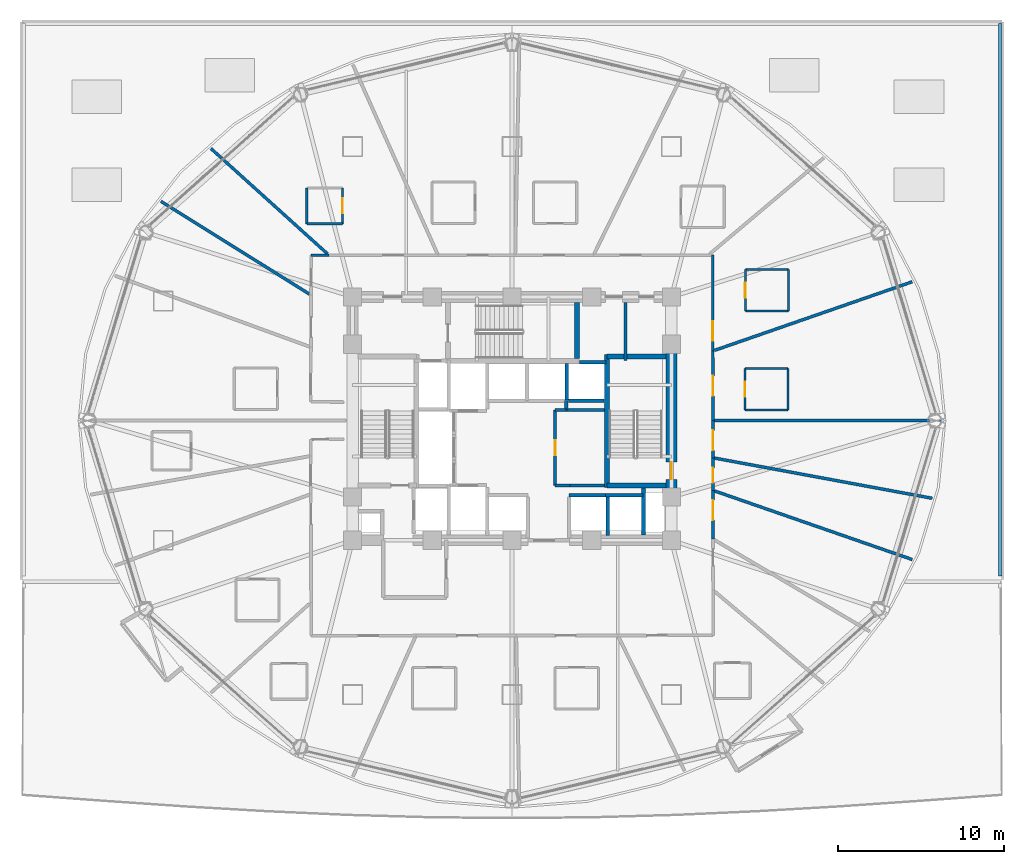
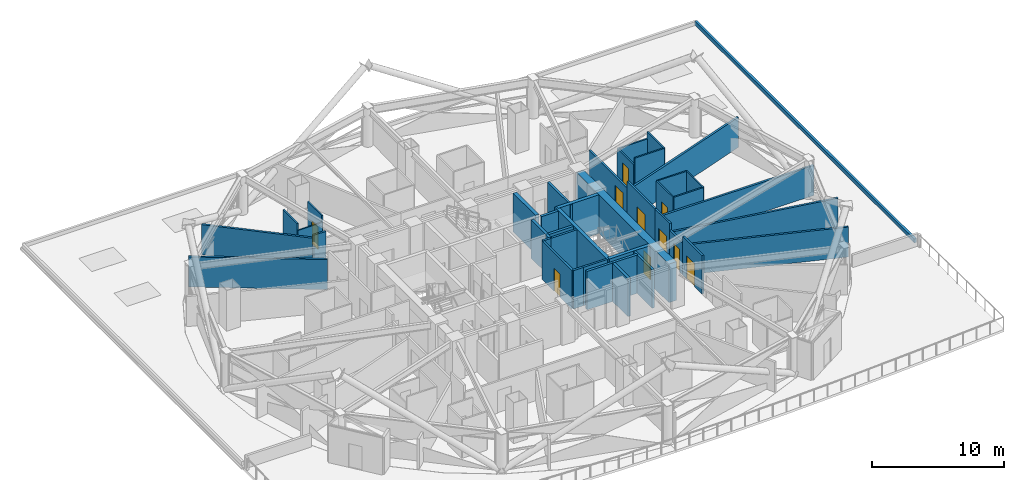
# One storey, part 22 of 27: 43 walls, 10 doors, 10 openings.
"""IFC4 building model written with IfcOpenShell, lengths in metres."""

from ifc_helpers import new_model, si_unit, direction, frame, frame_2d, origin, place, context, subcontext, project, spatial, rectangle, extrude, material, layer, layer_set, type_object, element, fill, save


model = new_model("IFC4")

# Units and contexts
model_context = context("Model", 3, precision=1e-05, world=origin(), true_north=direction((0.0, 1.0)))
body_context = subcontext(model_context, "Body", "Model", "MODEL_VIEW")
ifc_project = project(units=[si_unit("LENGTHUNIT", "METRE"), si_unit("AREAUNIT", "SQUARE_METRE"), si_unit("VOLUMEUNIT", "CUBIC_METRE"), si_unit("PLANEANGLEUNIT", "RADIAN"), si_unit("MASSUNIT", "GRAM", prefix="KILO")], contexts=[model_context])

# Site, building, storey
site_placement = place(None, origin())
site = spatial("IfcSite", under=ifc_project, at=site_placement, CompositionType="ELEMENT")
building_placement = place(site_placement, origin())
building = spatial("IfcBuilding", under=site, at=building_placement, Name="Vantalir Tower", CompositionType="ELEMENT")
storey_placement = place(building_placement, frame((0.0, 0.0, 27.0)))
storey = spatial("IfcBuildingStorey", under=building, at=storey_placement, Name="L05", CompositionType="ELEMENT", Elevation=27.0)

# Walls
ifc_material_1 = material(Name="Moisture-resistant en-suite partition", Category="gypsum")
ifc_layer_1 = layer(ifc_material_1, 0.125)
ifc_layer_set_1 = layer_set([ifc_layer_1], Name="Moisture-resistant en-suite partition")
wall_type_1 = type_object("IfcWallType", Name="WL-BATH-125", PredefinedType="PARTITIONING", material=ifc_layer_set_1)
for number, where, z_axis, x_axis, name in (
    (1, (45.527099609375, 25.652099609375, 0.0), (0.0, 0.0, 1.0), (1.0, 0.0, 0.0), "L05 En-suite 01 South Wall"),
    (2, (45.527099609375, 28.152099609375, 0.0), (0.0, 0.0, 1.0), (1.0, 0.0, 0.0), "L05 En-suite 01 North Wall"),
):
    element("IfcWall", number, at=place(storey_placement, frame(where, z_axis=z_axis, x_axis=x_axis)), inside=storey, type_object=wall_type_1, Name=name, PredefinedType="PARTITIONING", context=body_context, shape_type="SweptSolid", body=[
        extrude(rectangle(XDim=2.599853515625, YDim=0.125, at=frame_2d((1.2998046875, 0.0))), origin(), (0.0, 0.0, 1.0), 3.550048828125),
    ])

# Wall, opening, door
wall_1_placement = place(storey_placement, frame((45.527099609375, 25.652099609375, 0.0), z_axis=(0.0, 0.0, 1.0), x_axis=(0.0, 1.0, 0.0)))
wall_1 = element("IfcWall", 3, at=wall_1_placement, inside=storey, type_object=wall_type_1, Name="L05 En-suite 01 West Wall", PredefinedType="PARTITIONING", context=body_context, shape_type="SweptSolid", body=[
    extrude(rectangle(XDim=2.5, YDim=0.125, at=frame_2d((1.25, 0.0))), origin(), (0.0, 0.0, 1.0), 3.550048828125),
])
opening_1_placement = place(wall_1_placement, frame((0.800048828125, 0.0, 0.0)))
opening_1 = element("IfcOpeningElement", 4, at=opening_1_placement, cuts=wall_1, Name="Opening D-WC", PredefinedType="OPENING", context=body_context, shape_type="SweptSolid", body=[
    extrude(rectangle(XDim=0.89990234375, YDim=2.10009765625, at=frame_2d((0.449951171875, 1.050048828125))), frame((0.0, 0.072509765625, 0.0), z_axis=(0.0, -1.0, 0.0), x_axis=(1.0, 0.0, 0.0)), (0.0, 0.0, 1.0), 0.14501953125),
])
ifc_material_2 = material(Name="Moisture-resistant hardwood door", Category="wood")
door_type_1 = type_object("IfcDoorType", Name="DR-ENSUITE-900", OperationType="NOTDEFINED", PredefinedType="DOOR", material=ifc_material_2)
door_1_placement = place(opening_1_placement, frame((0.89990234375, 0.0, 0.0), z_axis=(0.0, 0.0, 1.0), x_axis=(-1.0, 0.0, 0.0)))
door_1 = element("IfcDoor", 5, at=door_1_placement, inside=storey, type_object=door_type_1, Name="L05 En-suite 01 Door", OperationType="SINGLE_SWING_LEFT", OverallHeight=2.10009765625, OverallWidth=0.89990234375, PredefinedType="DOOR", context=body_context, shape_type="SweptSolid", body=[
    extrude(rectangle(XDim=0.89990234375, YDim=2.10009765625, at=frame_2d((0.449951171875, 1.050048828125))), frame((0.0, 0.02490234375, 0.0), z_axis=(0.0, -1.0, 0.0), x_axis=(1.0, 0.0, 0.0)), (0.0, 0.0, 1.0), 0.050048828125),
])
fill(opening_1, door_1)

# Walls
wall_2_placement = place(storey_placement, frame((48.126953125, 25.652099609375, 0.0), z_axis=(0.0, 0.0, 1.0), x_axis=(0.0, 1.0, 0.0)))
element("IfcWall", 6, at=wall_2_placement, inside=storey, type_object=wall_type_1, Name="L05 En-suite 01 East Wall", PredefinedType="PARTITIONING", context=body_context, shape_type="SweptSolid", body=[
    extrude(rectangle(XDim=2.5, YDim=0.125, at=frame_2d((1.25, 0.0))), origin(), (0.0, 0.0, 1.0), 3.550048828125),
])
wall_3_placement = place(storey_placement, frame((45.552978515625, 31.60693359375, 0.0), z_axis=(0.0, 0.0, 1.0), x_axis=(1.0, 0.0, 0.0)))
element("IfcWall", 7, at=wall_3_placement, inside=storey, type_object=wall_type_1, Name="L05 En-suite 02 South Wall", PredefinedType="PARTITIONING", context=body_context, shape_type="SweptSolid", body=[
    extrude(rectangle(XDim=2.60009765625, YDim=0.125, at=frame_2d((1.300048828125, 0.0))), origin(), (0.0, 0.0, 1.0), 3.550048828125),
])
wall_4_placement = place(storey_placement, frame((45.552978515625, 34.10693359375, 0.0), z_axis=(0.0, 0.0, 1.0), x_axis=(1.0, 0.0, 0.0)))
element("IfcWall", 8, at=wall_4_placement, inside=storey, type_object=wall_type_1, Name="L05 En-suite 02 North Wall", PredefinedType="PARTITIONING", context=body_context, shape_type="SweptSolid", body=[
    extrude(rectangle(XDim=2.60009765625, YDim=0.125, at=frame_2d((1.300048828125, 0.0))), origin(), (0.0, 0.0, 1.0), 2.928955078125),
])

# Wall, opening, door
wall_5_placement = place(storey_placement, frame((45.552978515625, 31.60693359375, 0.0), z_axis=(0.0, 0.0, 1.0), x_axis=(0.0, 1.0, 0.0)))
wall_5 = element("IfcWall", 9, at=wall_5_placement, inside=storey, type_object=wall_type_1, Name="L05 En-suite 02 West Wall", PredefinedType="PARTITIONING", context=body_context, shape_type="SweptSolid", body=[
    extrude(rectangle(XDim=2.5, YDim=0.125, at=frame_2d((1.25, 0.0))), origin(), (0.0, 0.0, 1.0), 2.928955078125),
])
opening_2_placement = place(wall_5_placement, frame((0.800048828125, 0.0, 0.0)))
opening_2 = element("IfcOpeningElement", 10, at=opening_2_placement, cuts=wall_5, Name="Opening D-WC", PredefinedType="OPENING", context=body_context, shape_type="SweptSolid", body=[
    extrude(rectangle(XDim=0.89990234375, YDim=2.10009765625, at=frame_2d((0.449951171875, 1.050048828125))), frame((0.0, 0.072509765625, 0.0), z_axis=(0.0, -1.0, 0.0), x_axis=(1.0, 0.0, 0.0)), (0.0, 0.0, 1.0), 0.14501953125),
])
door_2_placement = place(opening_2_placement, frame((0.89990234375, 0.0, 0.0), z_axis=(0.0, 0.0, 1.0), x_axis=(-1.0, 0.0, 0.0)))
door_2 = element("IfcDoor", 11, at=door_2_placement, inside=storey, type_object=door_type_1, Name="L05 En-suite 02 Door", OperationType="SINGLE_SWING_RIGHT", OverallHeight=2.10009765625, OverallWidth=0.89990234375, PredefinedType="DOOR", context=body_context, shape_type="SweptSolid", body=[
    extrude(rectangle(XDim=0.89990234375, YDim=2.10009765625, at=frame_2d((0.449951171875, 1.050048828125))), frame((0.0, 0.02490234375, 0.0), z_axis=(0.0, -1.0, 0.0), x_axis=(1.0, 0.0, 0.0)), (0.0, 0.0, 1.0), 0.050048828125),
])
fill(opening_2, door_2)

# Walls
wall_6_placement = place(storey_placement, frame((48.153076171875, 31.60693359375, 0.0), z_axis=(0.0, 0.0, 1.0), x_axis=(0.0, 1.0, 0.0)))
element("IfcWall", 12, at=wall_6_placement, inside=storey, type_object=wall_type_1, Name="L05 En-suite 02 East Wall", PredefinedType="PARTITIONING", context=body_context, shape_type="SweptSolid", body=[
    extrude(rectangle(XDim=2.5, YDim=0.125, at=frame_2d((1.25, 0.0))), origin(), (0.0, 0.0, 1.0), 3.550048828125),
])
wall_7_placement = place(storey_placement, frame((19.14208984375, 36.85498046875, 0.0), z_axis=(0.0, 0.0, 1.0), x_axis=(1.0, 0.0, 0.0)))
element("IfcWall", 13, at=wall_7_placement, inside=storey, type_object=wall_type_1, Name="L05 En-suite 06 South Wall", PredefinedType="PARTITIONING", context=body_context, shape_type="SweptSolid", body=[
    extrude(rectangle(XDim=2.14990234375, YDim=0.125, at=frame_2d((1.074951171875, 0.0))), origin(), (0.0, 0.0, 1.0), 2.928955078125),
])
wall_8_placement = place(storey_placement, frame((19.14208984375, 36.85498046875, 0.0), z_axis=(0.0, 0.0, 1.0), x_axis=(0.0, 1.0, 0.0)))
element("IfcWall", 14, at=wall_8_placement, inside=storey, type_object=wall_type_1, Name="L05 En-suite 06 West Wall", PredefinedType="PARTITIONING", context=body_context, shape_type="SweptSolid", body=[
    extrude(rectangle(XDim=2.14990234375, YDim=0.125, at=frame_2d((1.074951171875, 0.0))), origin(), (0.0, 0.0, 1.0), 3.550048828125),
])

# Wall, opening, door
wall_9_placement = place(storey_placement, frame((21.2919921875, 36.85498046875, 0.0), z_axis=(0.0, 0.0, 1.0), x_axis=(0.0, 1.0, 0.0)))
wall_9 = element("IfcWall", 15, at=wall_9_placement, inside=storey, type_object=wall_type_1, Name="L05 En-suite 06 East Wall", PredefinedType="PARTITIONING", context=body_context, shape_type="SweptSolid", body=[
    extrude(rectangle(XDim=2.14990234375, YDim=0.125, at=frame_2d((1.074951171875, 0.0))), origin(), (0.0, 0.0, 1.0), 3.550048828125),
])
opening_3_placement = place(wall_9_placement, frame((0.625, 0.0, 0.0)))
opening_3 = element("IfcOpeningElement", 16, at=opening_3_placement, cuts=wall_9, Name="Opening D-WC", PredefinedType="OPENING", context=body_context, shape_type="SweptSolid", body=[
    extrude(rectangle(XDim=0.89990234375, YDim=2.10009765625, at=frame_2d((0.449951171875, 1.050048828125))), frame((0.0, 0.072509765625, 0.0), z_axis=(0.0, -1.0, 0.0), x_axis=(1.0, 0.0, 0.0)), (0.0, 0.0, 1.0), 0.14501953125),
])
door_3_placement = place(opening_3_placement, origin())
door_3 = element("IfcDoor", 17, at=door_3_placement, inside=storey, type_object=door_type_1, Name="L05 En-suite 06 Door", OperationType="SINGLE_SWING_RIGHT", OverallHeight=2.10009765625, OverallWidth=0.89990234375, PredefinedType="DOOR", context=body_context, shape_type="SweptSolid", body=[
    extrude(rectangle(XDim=0.89990234375, YDim=2.10009765625, at=frame_2d((0.449951171875, 1.050048828125))), frame((0.0, 0.02490234375, 0.0), z_axis=(0.0, -1.0, 0.0), x_axis=(1.0, 0.0, 0.0)), (0.0, 0.0, 1.0), 0.050048828125),
])
fill(opening_3, door_3)

ifc_material_3 = material(Name="Concrete C60/75", Category="concrete")
ifc_layer_2 = layer(ifc_material_3, 0.64990234375)
ifc_layer_set_2 = layer_set([ifc_layer_2], Name="Concrete C60/75")
wall_type_2 = type_object("IfcWallType", Name="WL-CORE-650", PredefinedType="SHEAR", material=ifc_layer_set_2)
wall_10_placement = place(storey_placement, frame((41.10009765625, 18.125, 0.0), z_axis=(0.0, 0.0, 1.0), x_axis=(0.0, 1.0, 0.0)))
wall_10 = element("IfcWall", 18, at=wall_10_placement, inside=storey, type_object=wall_type_2, Name="L05 Core Shear Wall East", PredefinedType="SHEAR", context=body_context, shape_type="SweptSolid", body=[
    extrude(rectangle(XDim=14.0, YDim=0.64990234375, at=frame_2d((7.0, 0.0))), origin(), (0.0, 0.0, 1.0), 3.570068359375),
])
opening_4_placement = place(wall_10_placement, frame((3.3349609375, 0.0, 0.0)))
opening_4 = element("IfcOpeningElement", 19, at=opening_4_placement, cuts=wall_10, Name="Opening D-ST", PredefinedType="OPENING", context=body_context, shape_type="SweptSolid", body=[
    extrude(rectangle(XDim=1.050048828125, YDim=2.10009765625, at=frame_2d((0.52490234375, 1.050048828125))), frame((0.0, 0.3349609375, 0.0), z_axis=(0.0, -1.0, 0.0), x_axis=(1.0, 0.0, 0.0)), (0.0, 0.0, 1.0), 0.669921875),
])
ifc_material_4 = material(Name="Fire-rated steel door leaf", Category="steel")
door_type_2 = type_object("IfcDoorType", Name="DR-FIRE-STAIR-1050", OperationType="NOTDEFINED", PredefinedType="DOOR", material=ifc_material_4)
door_4_placement = place(opening_4_placement, origin())
door_4 = element("IfcDoor", 20, at=door_4_placement, inside=storey, type_object=door_type_2, Name="L05 Exit Stair ST2 Fire Door", OperationType="SINGLE_SWING_LEFT", OverallHeight=2.10009765625, OverallWidth=1.050048828125, PredefinedType="DOOR", context=body_context, shape_type="SweptSolid", body=[
    extrude(rectangle(XDim=1.050048828125, YDim=2.10009765625, at=frame_2d((0.52490234375, 1.050048828125))), frame((0.0, 0.02490234375, 0.0), z_axis=(0.0, -1.0, 0.0), x_axis=(1.0, 0.0, 0.0)), (0.0, 0.0, 1.0), 0.050048828125),
])
fill(opening_4, door_4)

# Wall
ifc_material_5 = material(Name="Fire-rated hotel corridor acoustic partition", Category="gypsum")
ifc_layer_3 = layer(ifc_material_5, 0.159912109375)
ifc_layer_set_3 = layer_set([ifc_layer_3], Name="Fire-rated hotel corridor acoustic partition")
wall_type_3 = type_object("IfcWallType", Name="WL-CORR-160", PredefinedType="PARTITIONING", material=ifc_layer_set_3)
wall_11_placement = place(storey_placement, frame((19.406005859375, 34.9599609375, 0.0), z_axis=(0.0, 0.0, 1.0), x_axis=(1.0, 0.0, 0.0)))
element("IfcWall", 21, at=wall_11_placement, inside=storey, type_object=wall_type_3, Name="L05 Corridor Partition 05", PredefinedType="PARTITIONING", context=body_context, shape_type="SweptSolid", body=[
    extrude(rectangle(XDim=1.074951171875, YDim=0.159912109375, at=frame_2d((0.53759765625, 0.0))), origin(), (0.0, 0.0, 1.0), 3.550048828125),
])

# Wall, opening, door
wall_12_placement = place(storey_placement, frame((43.593994140625, 34.9599609375, 0.0), z_axis=(0.0, 0.0, 1.0), x_axis=(0.00067793722, -0.999999770201, 0.0)))
wall_12 = element("IfcWall", 22, at=wall_12_placement, inside=storey, type_object=wall_type_3, Name="L05 Corridor Partition 10", PredefinedType="PARTITIONING", context=body_context, shape_type="SweptSolid", body=[
    extrude(rectangle(XDim=5.761962890625, YDim=0.159912109375, at=frame_2d((2.880859375, 0.0))), origin(), (0.0, 0.0, 1.0), 2.928955078125),
])
opening_5_placement = place(wall_12_placement, frame((3.962890625, 0.0, 0.0)))
opening_5 = element("IfcOpeningElement", 23, at=opening_5_placement, cuts=wall_12, Name="Opening D-STE", PredefinedType="OPENING", context=body_context, shape_type="SweptSolid", body=[
    extrude(rectangle(XDim=1.199951171875, YDim=2.10009765625, at=frame_2d((0.60009765625, 1.050048828125))), frame((0.0, 0.08984375, 0.0), z_axis=(0.0, -1.0, 0.0), x_axis=(1.0, 0.0, 0.0)), (0.0, 0.0, 1.0), 0.179931640625),
])
ifc_material_6 = material(Name="Solid-core teak veneer suite entrance door", Category="wood")
door_type_3 = type_object("IfcDoorType", Name="DR-SUITE-ENTRY-1200", OperationType="NOTDEFINED", PredefinedType="DOOR", material=ifc_material_6)
door_5_placement = place(opening_5_placement, origin())
door_5 = element("IfcDoor", 24, at=door_5_placement, inside=storey, type_object=door_type_3, Name="L05 Royal Ambassador Hotel Suite 02 Door", OperationType="SINGLE_SWING_RIGHT", OverallHeight=2.10009765625, OverallWidth=1.199951171875, PredefinedType="DOOR", context=body_context, shape_type="SweptSolid", body=[
    extrude(rectangle(XDim=1.199951171875, YDim=2.10009765625, at=frame_2d((0.60009765625, 1.050048828125))), frame((0.0, 0.02490234375, 0.0), z_axis=(0.0, -1.0, 0.0), x_axis=(1.0, 0.0, 0.0)), (0.0, 0.0, 1.0), 0.050048828125),
])
fill(opening_5, door_5)

wall_13_placement = place(storey_placement, frame((43.597900390625, 29.197998046875, 0.0), z_axis=(0.0, 0.0, 1.0), x_axis=(0.000756033515, -0.999999714207, 0.0)))
wall_13 = element("IfcWall", 25, at=wall_13_placement, inside=storey, type_object=wall_type_3, Name="L05 Corridor Partition 11", PredefinedType="PARTITIONING", context=body_context, shape_type="SweptSolid", body=[
    extrude(rectangle(XDim=4.197998046875, YDim=0.159912109375, at=frame_2d((2.09912109375, 0.0))), origin(), (0.0, 0.0, 1.0), 3.550048828125),
])
opening_6_placement = place(wall_13_placement, frame((1.4990234375, 0.0, 0.0)))
opening_6 = element("IfcOpeningElement", 26, at=opening_6_placement, cuts=wall_13, Name="Opening D-STE", PredefinedType="OPENING", context=body_context, shape_type="SweptSolid", body=[
    extrude(rectangle(XDim=1.199951171875, YDim=2.10009765625, at=frame_2d((0.60009765625, 1.050048828125))), frame((0.0, 0.08984375, 0.0), z_axis=(0.0, -1.0, 0.0), x_axis=(1.0, 0.0, 0.0)), (0.0, 0.0, 1.0), 0.179931640625),
])
door_6_placement = place(opening_6_placement, origin())
door_6 = element("IfcDoor", 27, at=door_6_placement, inside=storey, type_object=door_type_3, Name="L05 Royal Ambassador Hotel Suite 01 Door", OperationType="SINGLE_SWING_LEFT", OverallHeight=2.10009765625, OverallWidth=1.199951171875, PredefinedType="DOOR", context=body_context, shape_type="SweptSolid", body=[
    extrude(rectangle(XDim=1.199951171875, YDim=2.10009765625, at=frame_2d((0.60009765625, 1.050048828125))), frame((0.0, 0.02490234375, 0.0), z_axis=(0.0, -1.0, 0.0), x_axis=(1.0, 0.0, 0.0)), (0.0, 0.0, 1.0), 0.050048828125),
])
fill(opening_6, door_6)

wall_14_placement = place(storey_placement, frame((43.60107421875, 25.0, 0.0), z_axis=(0.0, 0.0, 1.0), x_axis=(0.000873457468, -0.999999618536, 0.0)))
wall_14 = element("IfcWall", 28, at=wall_14_placement, inside=storey, type_object=wall_type_3, Name="L05 Corridor Partition 12", PredefinedType="PARTITIONING", context=body_context, shape_type="SweptSolid", body=[
    extrude(rectangle(XDim=2.236083984375, YDim=0.159912109375, at=frame_2d((1.1181640625, 0.0))), origin(), (0.0, 0.0, 1.0), 3.550048828125),
])
opening_7_placement = place(wall_14_placement, frame((0.590087890625, 0.0, 0.0)))
opening_7 = element("IfcOpeningElement", 29, at=opening_7_placement, cuts=wall_14, Name="Opening D-STE", PredefinedType="OPENING", context=body_context, shape_type="SweptSolid", body=[
    extrude(rectangle(XDim=1.199951171875, YDim=2.10009765625, at=frame_2d((0.60009765625, 1.050048828125))), frame((0.0, 0.08984375, 0.0), z_axis=(0.0, -1.0, 0.0), x_axis=(1.0, 0.0, 0.0)), (0.0, 0.0, 1.0), 0.179931640625),
])
door_7_placement = place(opening_7_placement, origin())
door_7 = element("IfcDoor", 30, at=door_7_placement, inside=storey, type_object=door_type_3, Name="L05 Club Reading Lounge 20 Door", OperationType="SINGLE_SWING_RIGHT", OverallHeight=2.10009765625, OverallWidth=1.199951171875, PredefinedType="DOOR", context=body_context, shape_type="SweptSolid", body=[
    extrude(rectangle(XDim=1.199951171875, YDim=2.10009765625, at=frame_2d((0.60009765625, 1.050048828125))), frame((0.0, 0.02490234375, 0.0), z_axis=(0.0, -1.0, 0.0), x_axis=(1.0, 0.0, 0.0)), (0.0, 0.0, 1.0), 0.050048828125),
])
fill(opening_7, door_7)

wall_15_placement = place(storey_placement, frame((43.60302734375, 22.763916015625, 0.0), z_axis=(0.0, 0.0, 1.0), x_axis=(0.000497264981, -0.999999876364, 0.0)))
wall_15 = element("IfcWall", 31, at=wall_15_placement, inside=storey, type_object=wall_type_3, Name="L05 Corridor Partition 13", PredefinedType="PARTITIONING", context=body_context, shape_type="SweptSolid", body=[
    extrude(rectangle(XDim=1.9638671875, YDim=0.159912109375, at=frame_2d((0.98193359375, 0.0))), origin(), (0.0, 0.0, 1.0), 2.928955078125),
])
opening_8_placement = place(wall_15_placement, frame((0.60595703125, 0.0, 0.0)))
opening_8 = element("IfcOpeningElement", 32, at=opening_8_placement, cuts=wall_15, Name="Opening D-WC", PredefinedType="OPENING", context=body_context, shape_type="SweptSolid", body=[
    extrude(rectangle(XDim=0.89990234375, YDim=2.10009765625, at=frame_2d((0.449951171875, 1.050048828125))), frame((0.0, 0.08984375, 0.0), z_axis=(0.0, -1.0, 0.0), x_axis=(1.0, 0.0, 0.0)), (0.0, 0.0, 1.0), 0.179931640625),
])
door_8_placement = place(opening_8_placement, origin())
door_8 = element("IfcDoor", 33, at=door_8_placement, inside=storey, type_object=door_type_1, Name="L05 Executive Business Study 19 Door", OperationType="SINGLE_SWING_LEFT", OverallHeight=2.10009765625, OverallWidth=0.89990234375, PredefinedType="DOOR", context=body_context, shape_type="SweptSolid", body=[
    extrude(rectangle(XDim=0.89990234375, YDim=2.10009765625, at=frame_2d((0.449951171875, 1.050048828125))), frame((0.0, 0.02490234375, 0.0), z_axis=(0.0, -1.0, 0.0), x_axis=(1.0, 0.0, 0.0)), (0.0, 0.0, 1.0), 0.050048828125),
])
fill(opening_8, door_8)

wall_16_placement = place(storey_placement, frame((43.60400390625, 20.800048828125, 0.0), z_axis=(0.0, 0.0, 1.0), x_axis=(0.000665668017, -0.999999778443, 0.0)))
wall_16 = element("IfcWall", 34, at=wall_16_placement, inside=storey, type_object=wall_type_3, Name="L05 Corridor Partition 14", PredefinedType="PARTITIONING", context=body_context, shape_type="SweptSolid", body=[
    extrude(rectangle(XDim=2.93408203125, YDim=0.159912109375, at=frame_2d((1.467041015625, 0.0))), origin(), (0.0, 0.0, 1.0), 3.550048828125),
])
opening_9_placement = place(wall_16_placement, frame((0.583984375, 0.0, 0.0)))
opening_9 = element("IfcOpeningElement", 35, at=opening_9_placement, cuts=wall_16, Name="Opening D-STE", PredefinedType="OPENING", context=body_context, shape_type="SweptSolid", body=[
    extrude(rectangle(XDim=1.199951171875, YDim=2.10009765625, at=frame_2d((0.60009765625, 1.050048828125))), frame((0.0, 0.08984375, 0.0), z_axis=(0.0, -1.0, 0.0), x_axis=(1.0, 0.0, 0.0)), (0.0, 0.0, 1.0), 0.179931640625),
])
door_9_placement = place(opening_9_placement, origin())
door_9 = element("IfcDoor", 36, at=door_9_placement, inside=storey, type_object=door_type_3, Name="L05 Club Reading Lounge 18 Door", OperationType="SINGLE_SWING_RIGHT", OverallHeight=2.10009765625, OverallWidth=1.199951171875, PredefinedType="DOOR", context=body_context, shape_type="SweptSolid", body=[
    extrude(rectangle(XDim=1.199951171875, YDim=2.10009765625, at=frame_2d((0.60009765625, 1.050048828125))), frame((0.0, 0.02490234375, 0.0), z_axis=(0.0, -1.0, 0.0), x_axis=(1.0, 0.0, 0.0)), (0.0, 0.0, 1.0), 0.050048828125),
])
fill(opening_9, door_9)

# Walls
ifc_material_7 = material(Name="Concrete blockwork with fireboard lining", Category="masonry")
ifc_layer_4 = layer(ifc_material_7, 0.219970703125)
ifc_layer_set_4 = layer_set([ifc_layer_4], Name="Concrete blockwork with fireboard lining")
wall_type_4 = type_object("IfcWallType", Name="WL-FFL-220", PredefinedType="PARTITIONING", material=ifc_layer_set_4)
wall_17_placement = place(storey_placement, frame((37.27490234375, 18.080078125, 0.0), z_axis=(0.0, 0.0, 1.0), x_axis=(0.0, 1.0, 0.0)))
element("IfcWall", 37, at=wall_17_placement, inside=storey, type_object=wall_type_4, Name="L05 Shuttle Lift PL-X2/X3 Shaft Divider", PredefinedType="PARTITIONING", context=body_context, shape_type="SweptSolid", body=[
    extrude(rectangle(XDim=2.309814453125, YDim=0.219970703125, at=frame_2d((1.15478515625, 0.0))), origin(), (0.0, 0.0, 1.0), 3.544921875),
])
wall_18_placement = place(storey_placement, frame((34.800048828125, 26.22998046875, 0.0), z_axis=(0.0, 0.0, 1.0), x_axis=(0.0, 1.0, 0.0)))
element("IfcWall", 38, at=wall_18_placement, inside=storey, type_object=wall_type_4, Name="L05 High-Rise Lift PL-H2/H3 Shaft Divider", PredefinedType="PARTITIONING", context=body_context, shape_type="SweptSolid", body=[
    extrude(rectangle(XDim=2.2099609375, YDim=0.219970703125, at=frame_2d((1.10498046875, 0.0))), origin(), (0.0, 0.0, 1.0), 3.544921875),
])
wall_19_placement = place(storey_placement, frame((34.909912109375, 26.18994140625, 0.0), z_axis=(0.0, 0.0, 1.0), x_axis=(1.0, 0.0, 0.0)))
element("IfcWall", 39, at=wall_19_placement, inside=storey, type_object=wall_type_4, Name="L05 High-Rise Lift PL-H3 Rear Shaft Wall", PredefinedType="PARTITIONING", context=body_context, shape_type="SweptSolid", body=[
    extrude(rectangle(XDim=2.14013671875, YDim=0.219970703125, at=frame_2d((1.070068359375, 0.0))), origin(), (0.0, 0.0, 1.0), 3.544921875),
])
wall_20_placement = place(storey_placement, frame((39.419921875, 18.125, 0.0), z_axis=(0.0, 0.0, 1.0), x_axis=(0.0, 1.0, 0.0)))
element("IfcWall", 40, at=wall_20_placement, inside=storey, type_object=wall_type_4, Name="L05 East MEP Riser Wall W", PredefinedType="PARTITIONING", context=body_context, shape_type="SweptSolid", body=[
    extrude(rectangle(XDim=2.824951171875, YDim=0.219970703125, at=frame_2d((1.41259765625, 0.0))), origin(), (0.0, 0.0, 1.0), 3.550048828125),
])
for number, where, z_axis, x_axis, name in (
    (41, (37.139892578125, 20.510009765625, 0.0), (0.0, 0.0, 1.0), (1.0, 0.0, 0.0), "L05 Lift PL-X2 Shaft Rear Wall"),
    (42, (34.93994140625, 20.510009765625, 0.0), (0.0, 0.0, 1.0), (1.0, 0.0, 0.0), "L05 Lift PL-X3 Shaft Front Wall"),
):
    element("IfcWall", number, at=place(storey_placement, frame(where, z_axis=z_axis, x_axis=x_axis)), inside=storey, type_object=wall_type_4, Name=name, PredefinedType="PARTITIONING", context=body_context, shape_type="SweptSolid", body=[
        extrude(rectangle(XDim=2.239990234375, YDim=0.219970703125, at=frame_2d((1.1201171875, 0.0))), origin(), (0.0, 0.0, 1.0), 3.550048828125),
    ])
wall_21_placement = place(storey_placement, frame((35.56005859375, 28.510009765625, 0.0), z_axis=(0.0, 0.0, 1.0), x_axis=(1.0, 0.0, 0.0)))
element("IfcWall", 43, at=wall_21_placement, inside=storey, type_object=wall_type_4, Name="L05 Lift PL-H3 Shaft Front Wall", PredefinedType="PARTITIONING", context=body_context, shape_type="SweptSolid", body=[
    extrude(rectangle(XDim=1.599853515625, YDim=0.219970703125, at=frame_2d((0.7998046875, 0.0))), origin(), (0.0, 0.0, 1.0), 3.550048828125),
])
wall_22_placement = place(storey_placement, frame((34.760009765625, 25.64990234375, 0.0), z_axis=(0.0, 0.0, 1.0), x_axis=(0.0, 1.0, 0.0)))
element("IfcWall", 44, at=wall_22_placement, inside=storey, type_object=wall_type_4, Name="L05 High-Rise Shaft Shoulder Wall", PredefinedType="PARTITIONING", context=body_context, shape_type="SweptSolid", body=[
    extrude(rectangle(XDim=0.570068359375, YDim=0.219970703125, at=frame_2d((0.28515625, 0.0))), origin(), (0.0, 0.0, 1.0), 3.550048828125),
])
ifc_material_8 = material(Name="Twin-stud acoustic fire-rated gypsum partition", Category="gypsum")
ifc_layer_5 = layer(ifc_material_8, 0.179931640625)
ifc_layer_set_5 = layer_set([ifc_layer_5], Name="Twin-stud acoustic fire-rated gypsum partition")
wall_type_5 = type_object("IfcWallType", Name="WL-GUEST-180", PredefinedType="PARTITIONING", material=ifc_layer_set_5)
wall_23_placement = place(storey_placement, frame((34.97998046875, 21.10009765625, 0.0), z_axis=(0.0, 0.0, 1.0), x_axis=(1.0, 0.0, 0.0)))
element("IfcWall", 45, at=wall_23_placement, inside=storey, type_object=wall_type_5, Name="L05 Freed East Core South Wall", PredefinedType="PARTITIONING", context=body_context, shape_type="SweptSolid", body=[
    extrude(rectangle(XDim=2.080078125, YDim=0.179931640625, at=frame_2d((1.0400390625, 0.0))), origin(), (0.0, 0.0, 1.0), 3.550048828125),
])
wall_24_placement = place(storey_placement, frame((34.719970703125, 25.64990234375, 0.0), z_axis=(0.0, 0.0, 1.0), x_axis=(1.0, 0.0, 0.0)))
element("IfcWall", 46, at=wall_24_placement, inside=storey, type_object=wall_type_5, Name="L05 Freed East Core North Wall", PredefinedType="PARTITIONING", context=body_context, shape_type="SweptSolid", body=[
    extrude(rectangle(XDim=2.340087890625, YDim=0.179931640625, at=frame_2d((1.169921875, 0.0))), origin(), (0.0, 0.0, 1.0), 3.550048828125),
])
wall_25_placement = place(storey_placement, frame((34.10009765625, 21.10009765625, 0.0), z_axis=(0.0, 0.0, 1.0), x_axis=(1.0, 0.0, 0.0)))
element("IfcWall", 47, at=wall_25_placement, inside=storey, type_object=wall_type_5, Name="L05 East Core Room South Return", PredefinedType="PARTITIONING", context=body_context, shape_type="SweptSolid", body=[
    extrude(rectangle(XDim=0.8798828125, YDim=0.179931640625, at=frame_2d((0.43994140625, 0.0))), origin(), (0.0, 0.0, 1.0), 3.550048828125),
])
wall_26_placement = place(storey_placement, frame((34.10009765625, 25.64990234375, 0.0), z_axis=(0.0, 0.0, 1.0), x_axis=(1.0, 0.0, 0.0)))
element("IfcWall", 48, at=wall_26_placement, inside=storey, type_object=wall_type_5, Name="L05 East Core Room North Return", PredefinedType="PARTITIONING", context=body_context, shape_type="SweptSolid", body=[
    extrude(rectangle(XDim=0.659912109375, YDim=0.179931640625, at=frame_2d((0.330078125, 0.0))), origin(), (0.0, 0.0, 1.0), 3.550048828125),
])

# Wall, opening, door
wall_27_placement = place(storey_placement, frame((34.10009765625, 21.10009765625, 0.0), z_axis=(0.0, 0.0, 1.0), x_axis=(0.0, 1.0, 0.0)))
wall_27 = element("IfcWall", 49, at=wall_27_placement, inside=storey, type_object=wall_type_5, Name="L05 East Core Room West Wall", PredefinedType="PARTITIONING", context=body_context, shape_type="SweptSolid", body=[
    extrude(rectangle(XDim=4.5498046875, YDim=0.179931640625, at=frame_2d((2.27490234375, 0.0))), origin(), (0.0, 0.0, 1.0), 3.550048828125),
])
opening_10_placement = place(wall_27_placement, frame((1.824951171875, 0.0, 0.0)))
opening_10 = element("IfcOpeningElement", 50, at=opening_10_placement, cuts=wall_27, Name="Opening D-CR", PredefinedType="OPENING", context=body_context, shape_type="SweptSolid", body=[
    extrude(rectangle(XDim=0.89990234375, YDim=2.10009765625, at=frame_2d((0.449951171875, 1.050048828125))), frame((0.0, 0.099853515625, 0.0), z_axis=(0.0, -1.0, 0.0), x_axis=(1.0, 0.0, 0.0)), (0.0, 0.0, 1.0), 0.199951171875),
])
ifc_material_9 = material(Name="Fire-rated steel core service door", Category="steel")
door_type_4 = type_object("IfcDoorType", Name="DR-CORE-SERV-900", OperationType="NOTDEFINED", PredefinedType="DOOR", material=ifc_material_9)
door_10_placement = place(opening_10_placement, frame((0.89990234375, 0.0, 0.0), z_axis=(0.0, 0.0, 1.0), x_axis=(-1.0, 0.0, 0.0)))
door_10 = element("IfcDoor", 51, at=door_10_placement, inside=storey, type_object=door_type_4, Name="L05 Core Linen Store Door", OperationType="SINGLE_SWING_LEFT", OverallHeight=2.10009765625, OverallWidth=0.89990234375, PredefinedType="DOOR", context=body_context, shape_type="SweptSolid", body=[
    extrude(rectangle(XDim=0.89990234375, YDim=2.10009765625, at=frame_2d((0.449951171875, 1.050048828125))), frame((0.0, 0.02490234375, 0.0), z_axis=(0.0, -1.0, 0.0), x_axis=(1.0, 0.0, 0.0)), (0.0, 0.0, 1.0), 0.050048828125),
])
fill(opening_10, door_10)

# Walls
wall_28_placement = place(storey_placement, frame((38.340087890625, 28.6201171875, 0.0), z_axis=(0.0, 0.0, 1.0), x_axis=(0.0, 1.0, 0.0)))
element("IfcWall", 52, at=wall_28_placement, inside=storey, type_object=wall_type_5, Name="L05 High-Rise Lift Lobby East Wall", PredefinedType="PARTITIONING", context=body_context, shape_type="SweptSolid", body=[
    extrude(rectangle(XDim=3.5048828125, YDim=0.179931640625, at=frame_2d((1.75244140625, 0.0))), origin(), (0.0, 0.0, 1.0), 3.550048828125),
])
wall_29_placement = place(storey_placement, frame((43.68994140625, 25.0, 0.0), z_axis=(0.0, 0.0, 1.0), x_axis=(1.0, 0.0, 0.0)))
element("IfcWall", 53, at=wall_29_placement, inside=storey, type_object=wall_type_5, Name="L05 Radial Suite Partition 01", PredefinedType="PARTITIONING", context=body_context, shape_type="SweptSolid", body=[
    extrude(rectangle(XDim=13.708984375, YDim=0.179931640625, at=frame_2d((6.8544921875, 0.0))), origin(), (0.0, 0.0, 1.0), 2.77490234375),
])
wall_30_placement = place(storey_placement, frame((43.68994140625, 29.22998046875, 0.0), z_axis=(0.0, 0.0, 1.0), x_axis=(0.944748655828, 0.327795633454, 0.0)))
element("IfcWall", 54, at=wall_30_placement, inside=storey, type_object=wall_type_5, Name="L05 Radial Suite Partition 02", PredefinedType="PARTITIONING", context=body_context, shape_type="SweptSolid", body=[
    extrude(rectangle(XDim=12.605712890625, YDim=0.179931640625, at=frame_2d((6.302734375, 0.0))), origin(), (0.0, 0.0, 1.0), 2.77490234375),
])
wall_31_placement = place(storey_placement, frame((20.39306640625, 35.0400390625, 0.0), z_axis=(0.0, 0.0, 1.0), x_axis=(-0.741824807196, 0.670593733514, 0.0)))
element("IfcWall", 55, at=wall_31_placement, inside=storey, type_object=wall_type_5, Name="L05 Radial Suite Partition 07", PredefinedType="PARTITIONING", context=body_context, shape_type="SweptSolid", body=[
    extrude(rectangle(XDim=9.463134765625, YDim=0.179931640625, at=frame_2d((4.7314453125, 0.0))), origin(), (0.0, 0.0, 1.0), 2.77490234375),
])
wall_32_placement = place(storey_placement, frame((19.31005859375, 32.614990234375, 0.0), z_axis=(0.0, 0.0, 1.0), x_axis=(-0.84807500086, 0.529876205274, 0.0)))
element("IfcWall", 56, at=wall_32_placement, inside=storey, type_object=wall_type_5, Name="L05 Radial Suite Partition 08", PredefinedType="PARTITIONING", context=body_context, shape_type="SweptSolid", body=[
    extrude(rectangle(XDim=10.5498046875, YDim=0.179931640625, at=frame_2d((5.27490234375, 0.0))), origin(), (0.0, 0.0, 1.0), 2.77490234375),
])
wall_33_placement = place(storey_placement, frame((43.68994140625, 20.77001953125, 0.0), z_axis=(0.0, 0.0, 1.0), x_axis=(0.944748655828, -0.327795633454, 0.0)))
element("IfcWall", 57, at=wall_33_placement, inside=storey, type_object=wall_type_5, Name="L05 Radial Suite Partition 19", PredefinedType="PARTITIONING", context=body_context, shape_type="SweptSolid", body=[
    extrude(rectangle(XDim=12.605712890625, YDim=0.179931640625, at=frame_2d((6.302734375, 0.0))), origin(), (0.0, 0.0, 1.0), 2.77490234375),
])
wall_34_placement = place(storey_placement, frame((43.68994140625, 22.748046875, 0.0), z_axis=(0.0, 0.0, 1.0), x_axis=(0.983362015537, -0.18165667177, 0.0)))
element("IfcWall", 58, at=wall_34_placement, inside=storey, type_object=wall_type_5, Name="L05 Radial Suite Partition 20", PredefinedType="PARTITIONING", context=body_context, shape_type="SweptSolid", body=[
    extrude(rectangle(XDim=13.3388671875, YDim=0.179931640625, at=frame_2d((6.66943359375, 0.0))), origin(), (0.0, 0.0, 1.0), 2.77490234375),
])
ifc_material_10 = material(Name="Concrete C40/50 parapet upstand", Category="concrete")
ifc_layer_6 = layer(ifc_material_10, 0.199951171875)
ifc_layer_set_6 = layer_set([ifc_layer_6], Name="Concrete C40/50 parapet upstand")
wall_type_6 = type_object("IfcWallType", Name="WL-PARA-200", PredefinedType="PARAPET", material=ifc_layer_set_6)
wall_35_placement = place(storey_placement, frame((60.89990234375, 15.64990234375, 0.02001953125), z_axis=(0.0, 0.0, 1.0), x_axis=(0.0, 1.0, 0.0)))
element("IfcWall", 59, at=wall_35_placement, inside=storey, type_object=wall_type_6, Name="L05 Unoccupied Roof Upstand East", PredefinedType="PARAPET", context=body_context, shape_type="SweptSolid", body=[
    extrude(rectangle(XDim=33.25, YDim=0.199951171875, at=frame_2d((16.625, 0.0))), origin(), (0.0, 0.0, 1.0), 0.35009765625),
])
ifc_material_11 = material(Name="Concrete C50/60", Category="concrete")
ifc_layer_7 = layer(ifc_material_11, 0.300048828125)
ifc_layer_set_7 = layer_set([ifc_layer_7], Name="Concrete C50/60")
wall_type_7 = type_object("IfcWallType", Name="WL-STAIR-300", PredefinedType="SHEAR", material=ifc_layer_set_7)
for number, where, z_axis, x_axis, name in (
    (60, (37.2099609375, 21.10009765625, 0.0), (0.0, 0.0, 1.0), (1.0, 0.0, 0.0), "L05 Stair ST2 South Wall"),
    (61, (37.2099609375, 28.85009765625, 0.0), (0.0, 0.0, 1.0), (1.0, 0.0, 0.0), "L05 Stair ST2 North Wall"),
):
    element("IfcWall", number, at=place(storey_placement, frame(where, z_axis=z_axis, x_axis=x_axis)), inside=storey, type_object=wall_type_7, Name=name, PredefinedType="SHEAR", context=body_context, shape_type="SweptSolid", body=[
        extrude(rectangle(XDim=3.56494140625, YDim=0.300048828125, at=frame_2d((1.782470703125, 0.0))), origin(), (0.0, 0.0, 1.0), 3.570068359375),
    ])
wall_36_placement = place(storey_placement, frame((37.2099609375, 20.97998046875, 0.0), z_axis=(0.0, 0.0, 1.0), x_axis=(0.0, 1.0, 0.0)))
element("IfcWall", 62, at=wall_36_placement, inside=storey, type_object=wall_type_7, Name="L05 Stair ST2 West Wall", PredefinedType="SHEAR", context=body_context, shape_type="SweptSolid", body=[
    extrude(rectangle(XDim=7.989990234375, YDim=0.300048828125, at=frame_2d((3.9951171875, 0.0))), origin(), (0.0, 0.0, 1.0), 3.570068359375),
])
wall_37_placement = place(storey_placement, frame((35.39990234375, 28.75, 0.0), z_axis=(0.0, 0.0, 1.0), x_axis=(0.0, 1.0, 0.0)))
element("IfcWall", 63, at=wall_37_placement, inside=storey, type_object=wall_type_7, Name="L05 Stair ST3 East Wall", PredefinedType="SHEAR", context=body_context, shape_type="SweptSolid", body=[
    extrude(rectangle(XDim=3.375, YDim=0.300048828125, at=frame_2d((1.6875, 0.0))), origin(), (0.0, 0.0, 1.0), 3.570068359375),
])

save(model, "model.ifc")
